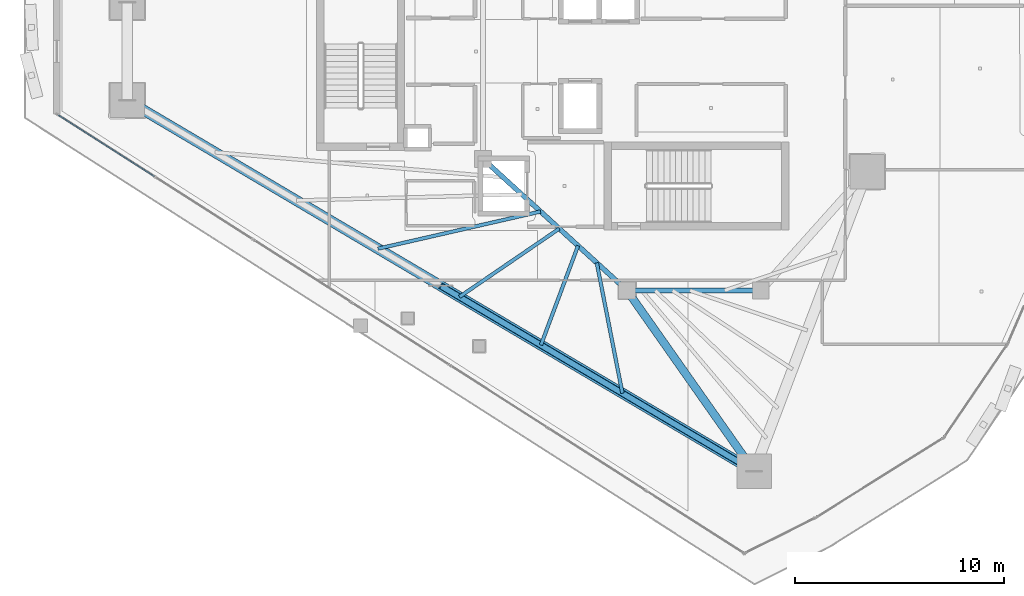
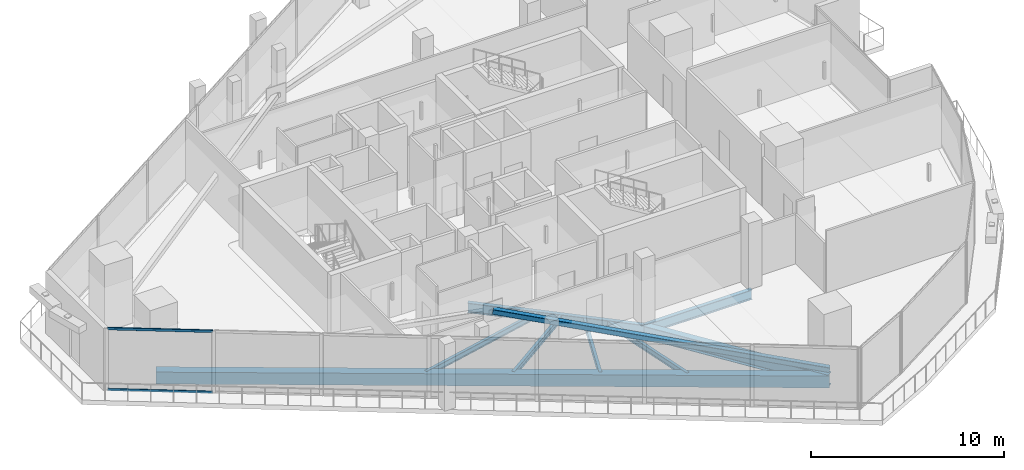
# One storey, part 5 of 34: 8 beams, 3 members, 1 element without a shape of its own.
"""IFC4 building model written with IfcOpenShell, lengths in metres."""

from ifc_helpers import new_model, si_unit, direction, frame, origin, origin_2d, place, context, subcontext, project, spatial, rectangle, hollow_rectangle, i_section, extrude, material, layer, layer_set, material_profile, profile_set, type_object, element, aggregate, save


model = new_model("IFC4")

# Units and contexts
model_context = context("Model", 3, precision=1e-05, world=origin(), true_north=direction((0.0, 1.0)))
body_context = subcontext(model_context, "Body", "Model", "MODEL_VIEW")
ifc_project = project(units=[si_unit("LENGTHUNIT", "METRE"), si_unit("AREAUNIT", "SQUARE_METRE"), si_unit("VOLUMEUNIT", "CUBIC_METRE"), si_unit("PLANEANGLEUNIT", "RADIAN"), si_unit("MASSUNIT", "GRAM", prefix="KILO")], contexts=[model_context])

# Site, building, storey
site_placement = place(None, origin())
site = spatial("IfcSite", under=ifc_project, at=site_placement, CompositionType="ELEMENT")
building_placement = place(site_placement, origin())
building = spatial("IfcBuilding", under=site, at=building_placement, Name="Qorvath Tower", CompositionType="ELEMENT")
storey_placement = place(building_placement, frame((0.0, 0.0, 276.60009765625)))
storey = spatial("IfcBuildingStorey", under=building, at=storey_placement, Name="L64", CompositionType="ELEMENT", Elevation=276.60009765625)

# Beams
ifc_material_1 = material(Name="Steel ASTM A992 Grade 50", Category="steel")
ifc_material_profile_1 = material_profile(ifc_material_1, i_section(OverallWidth=0.381103515625, OverallDepth=0.77294921875, WebThickness=0.0166015625, FlangeThickness=0.027099609375, FilletRadius=0.01904296875, at=origin_2d()), Name="W30x173")
ifc_profile_set_1 = profile_set([ifc_material_profile_1], Name="Steel ASTM A992 Grade 50")
beam_type_1 = type_object("IfcBeamType", Name="BM-FG3", PredefinedType="BEAM", material=ifc_profile_set_1)
beam_1_placement = place(storey_placement, frame((-23.60009765625, -11.449951171875, -0.676513671875), z_axis=(0.575274974004, -0.81796008722, 0.0), x_axis=(0.81796008722, 0.575274974004, 0.0)))
element("IfcBeam", 1, at=beam_1_placement, inside=storey, type_object=beam_type_1, Name="Radial Floor Girder CC4-MC3 L64", PredefinedType="BEAM", context=body_context, shape_type="SweptSolid", body=[
    extrude(i_section(OverallWidth=0.381103515625, OverallDepth=0.77294921875, WebThickness=0.0166015625, FlangeThickness=0.027099609375, FilletRadius=0.01904296875, at=origin_2d()), origin(), (0.0, 0.0, 1.0), 10.5771484375),
])
ifc_material_2 = material(Name="Steel ASTM A992 Grade 50", Category="steel")
ifc_material_profile_2 = material_profile(ifc_material_2, i_section(OverallWidth=0.22998046875, OverallDepth=0.616943359375, WebThickness=0.01318359375, FlangeThickness=0.022216796875, FilletRadius=0.014892578125, at=origin_2d()), Name="W24x94")
ifc_profile_set_2 = profile_set([ifc_material_profile_2], Name="Steel ASTM A992 Grade 50")
beam_type_2 = type_object("IfcBeamType", Name="BM-FG6", PredefinedType="BEAM", material=ifc_profile_set_2)
beam_2_placement = place(storey_placement, frame((-17.199951171875, -11.449951171875, -0.598388671875), z_axis=(-1.0, 0.0, 0.0), x_axis=(0.0, -1.0, 0.0)))
element("IfcBeam", 2, at=beam_2_placement, inside=storey, type_object=beam_type_2, Name="Core Ring Girder CC3-CC4 L64", PredefinedType="BEAM", context=body_context, shape_type="SweptSolid", body=[
    extrude(i_section(OverallWidth=0.22998046875, OverallDepth=0.616943359375, WebThickness=0.01318359375, FlangeThickness=0.022216796875, FilletRadius=0.014892578125, at=origin_2d()), origin(), (0.0, 0.0, 1.0), 6.400146484375),
])
beam_3_placement = place(storey_placement, frame((-23.60009765625, -11.449951171875, -0.598388671875), z_axis=(-0.73847813985, 0.6742774184, 0.0), x_axis=(-0.6742774184, -0.73847813985, 0.0)))
element("IfcBeam", 3, at=beam_3_placement, inside=storey, type_object=beam_type_2, Name="Core Ring Girder CC4-CC6 L64", PredefinedType="BEAM", context=body_context, shape_type="SweptSolid", body=[
    extrude(i_section(OverallWidth=0.22998046875, OverallDepth=0.616943359375, WebThickness=0.01318359375, FlangeThickness=0.022216796875, FilletRadius=0.014892578125, at=origin_2d()), origin(), (0.0, 0.0, 1.0), 9.343505859375),
])
ifc_material_3 = material(Name="Steel ASTM A992 Grade 50", Category="steel")
ifc_material_profile_3 = material_profile(ifc_material_3, i_section(OverallWidth=0.1708984375, OverallDepth=0.35107421875, WebThickness=0.0068359375, FlangeThickness=0.009765625, FilletRadius=0.010009765625, at=origin_2d()), Name="W14x30")
ifc_profile_set_3 = profile_set([ifc_material_profile_3], Name="Steel ASTM A992 Grade 50")
beam_type_3 = type_object("IfcBeamType", Name="BM-FJ4", PredefinedType="JOIST", material=ifc_profile_set_3)
beam_4_placement = place(storey_placement, frame((-27.739990234375, -7.669921875, -0.465576171875), z_axis=(-0.974852627195, -0.222850522212, 0.0), x_axis=(0.222850522212, -0.974852627195, 0.0)))
element("IfcBeam", 4, at=beam_4_placement, inside=storey, type_object=beam_type_3, Name="Composite Floor Joist SW3 L64", PredefinedType="JOIST", context=body_context, shape_type="SweptSolid", body=[
    extrude(i_section(OverallWidth=0.1708984375, OverallDepth=0.35107421875, WebThickness=0.0068359375, FlangeThickness=0.009765625, FilletRadius=0.010009765625, at=origin_2d()), origin(), (0.0, 0.0, 1.0), 7.98974609375),
])
beam_5_placement = place(storey_placement, frame((-26.843017578125, -8.489013671875, -0.465576171875), z_axis=(-0.82557592702, -0.564291049658, 0.0), x_axis=(0.564291049658, -0.82557592702, 0.0)))
element("IfcBeam", 5, at=beam_5_placement, inside=storey, type_object=beam_type_3, Name="Composite Floor Joist SW4 L64", PredefinedType="JOIST", context=body_context, shape_type="SweptSolid", body=[
    extrude(i_section(OverallWidth=0.1708984375, OverallDepth=0.35107421875, WebThickness=0.0068359375, FlangeThickness=0.009765625, FilletRadius=0.010009765625, at=origin_2d()), origin(), (0.0, 0.0, 1.0), 5.793212890625),
])
beam_6_placement = place(storey_placement, frame((-25.946044921875, -9.30810546875, -0.465576171875), z_axis=(-0.349858795354, -0.936802446257, 0.0), x_axis=(0.936802446257, -0.349858795354, 0.0)))
element("IfcBeam", 6, at=beam_6_placement, inside=storey, type_object=beam_type_3, Name="Composite Floor Joist SW5 L64", PredefinedType="JOIST", context=body_context, shape_type="SweptSolid", body=[
    extrude(i_section(OverallWidth=0.1708984375, OverallDepth=0.35107421875, WebThickness=0.0068359375, FlangeThickness=0.009765625, FilletRadius=0.010009765625, at=origin_2d()), origin(), (0.0, 0.0, 1.0), 5.078857421875),
])
beam_7_placement = place(storey_placement, frame((-25.049072265625, -10.126953125, -0.465576171875), z_axis=(0.193040016911, -0.981190884523, 0.0), x_axis=(0.981190884523, 0.193040016911, 0.0)))
element("IfcBeam", 7, at=beam_7_placement, inside=storey, type_object=beam_type_3, Name="Composite Floor Joist SW6 L64", PredefinedType="JOIST", context=body_context, shape_type="SweptSolid", body=[
    extrude(i_section(OverallWidth=0.1708984375, OverallDepth=0.35107421875, WebThickness=0.0068359375, FlangeThickness=0.009765625, FilletRadius=0.010009765625, at=origin_2d()), origin(), (0.0, 0.0, 1.0), 6.366455078125),
])
ifc_material_4 = material(Name="Concrete C45/55", Category="concrete")
ifc_material_profile_4 = material_profile(ifc_material_4, rectangle(XDim=0.5, YDim=0.75, at=origin_2d()), Name="RCB 750x500")
ifc_profile_set_4 = profile_set([ifc_material_profile_4], Name="Concrete C45/55")
beam_type_4 = type_object("IfcBeamType", Name="BM-RCB3", PredefinedType="SPANDREL", material=ifc_profile_set_4)
beam_8_placement = place(storey_placement, frame((-47.53759765625, -2.349609375, -0.6650390625), z_axis=(0.860781425392, -0.50897479083, 0.0), x_axis=(0.50897479083, 0.860781425392, 0.0)))
element("IfcBeam", 8, at=beam_8_placement, inside=storey, type_object=beam_type_4, Name="Perimeter Loggia Frame Beam MC2-MC3 L64", PredefinedType="SPANDREL", context=body_context, shape_type="SweptSolid", body=[
    extrude(rectangle(XDim=0.5, YDim=0.75, at=origin_2d()), origin(), (0.0, 0.0, 1.0), 34.8779296875),
])

# Curtain wall, members
ifc_material_5 = material(Name="Anodised aluminium and triple low-E glass", Category="aluminium")
ifc_layer = layer(ifc_material_5, 0.179931640625)
ifc_layer_set = layer_set([ifc_layer], Name="CW-SYS-4")
curtain_wall_type = type_object("IfcCurtainWallType", Name="CW-SYS-4", PredefinedType="NOTDEFINED", material=ifc_layer_set)
curtain_wall_placement = place(storey_placement, origin())
curtain_wall = element("IfcCurtainWall", 9, at=curtain_wall_placement, inside=storey, type_object=curtain_wall_type, Name="Curtain Wall CW-4 CW-T-L64-2.1", PredefinedType="NOTDEFINED")
ifc_material_6 = material(Name="Anodised aluminium 6063-T6", Category="aluminium")
ifc_material_profile_5 = material_profile(ifc_material_6, hollow_rectangle(XDim=0.06494140625, YDim=0.159912109375, WallThickness=0.00341796875, InnerFilletRadius=0.00341796875, OuterFilletRadius=0.007080078125, at=origin_2d()), Name="CWT 160x65")
ifc_profile_set_5 = profile_set([ifc_material_profile_5], Name="Anodised aluminium 6063-T6")
member_type_1 = type_object("IfcMemberType", Name="CWT-160", PredefinedType="USERDEFINED", material=ifc_profile_set_5)
member_1_placement = place(storey_placement, frame((-50.843017578125, -3.04638671875, 0.032470703125), z_axis=(0.842608486836, -0.538526636215, 0.0), x_axis=(0.538526636215, 0.842608486836, 0.0)))
member_1 = element("IfcMember", 10, at=member_1_placement, type_object=member_type_1, Name="CW-4 transom 1.1", ObjectType="TRANSOM", PredefinedType="USERDEFINED", context=body_context, shape_type="SweptSolid", body=[
    extrude(hollow_rectangle(XDim=0.06494140625, YDim=0.159912109375, WallThickness=0.00341796875, InnerFilletRadius=0.00341796875, OuterFilletRadius=0.007080078125, at=origin_2d()), origin(), (0.0, 0.0, 1.0), 5.46923828125),
])
member_2_placement = place(storey_placement, frame((-50.843017578125, -3.04638671875, 3.87744140625), z_axis=(0.842608486836, -0.538526636215, 0.0), x_axis=(0.538526636215, 0.842608486836, 0.0)))
member_2 = element("IfcMember", 11, at=member_2_placement, type_object=member_type_1, Name="CW-4 transom 1.2", ObjectType="TRANSOM", PredefinedType="USERDEFINED", context=body_context, shape_type="SweptSolid", body=[
    extrude(hollow_rectangle(XDim=0.06494140625, YDim=0.159912109375, WallThickness=0.00341796875, InnerFilletRadius=0.00341796875, OuterFilletRadius=0.007080078125, at=origin_2d()), origin(), (0.0, 0.0, 1.0), 5.46923828125),
])
aggregate(curtain_wall, [member_1, member_2])

# Member
ifc_material_7 = material(Name="Steel ASTM A500 Grade C", Category="steel")
ifc_material_profile_6 = material_profile(ifc_material_7, hollow_rectangle(XDim=0.3046875, YDim=0.3046875, WallThickness=0.0126953125, InnerFilletRadius=0.0126953125, OuterFilletRadius=0.025390625, at=origin_2d()), Name="HSS 305x305x12.7")
ifc_profile_set_6 = profile_set([ifc_material_profile_6], Name="Steel ASTM A500 Grade C")
member_type_2 = type_object("IfcMemberType", Name="MEM-MB3", PredefinedType="BRACE", material=ifc_profile_set_6)
member_3_placement = place(storey_placement, frame((-17.515380859375, -20.1015625, 0.0), z_axis=(-0.843391070594, 0.498687925097, 0.20000463846), x_axis=(-0.508971724088, -0.86078323873, 0.0)))
element("IfcMember", 12, at=member_3_placement, inside=storey, type_object=member_type_2, Name="Perimeter Chevron Brace L64-2B", PredefinedType="BRACE", context=body_context, shape_type="SweptSolid", body=[
    extrude(hollow_rectangle(XDim=0.3046875, YDim=0.3046875, WallThickness=0.0126953125, InnerFilletRadius=0.0126953125, OuterFilletRadius=0.025390625, at=origin_2d()), origin(), (0.0, 0.0, 1.0), 17.798583984375),
])

save(model, "model.ifc")
